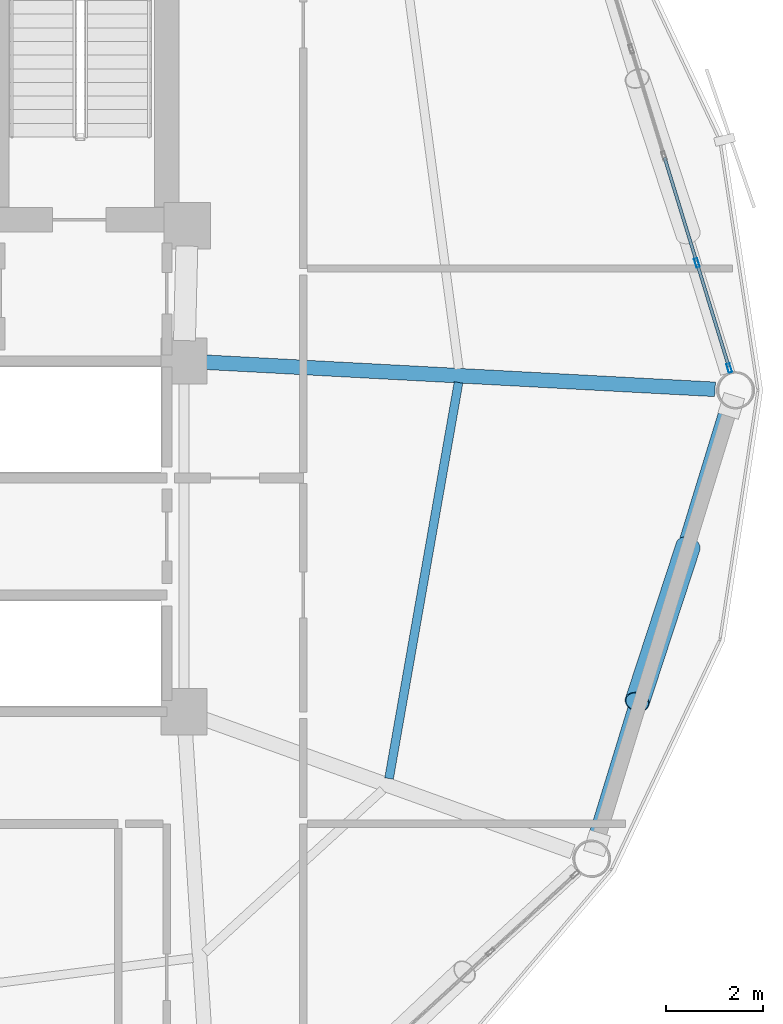
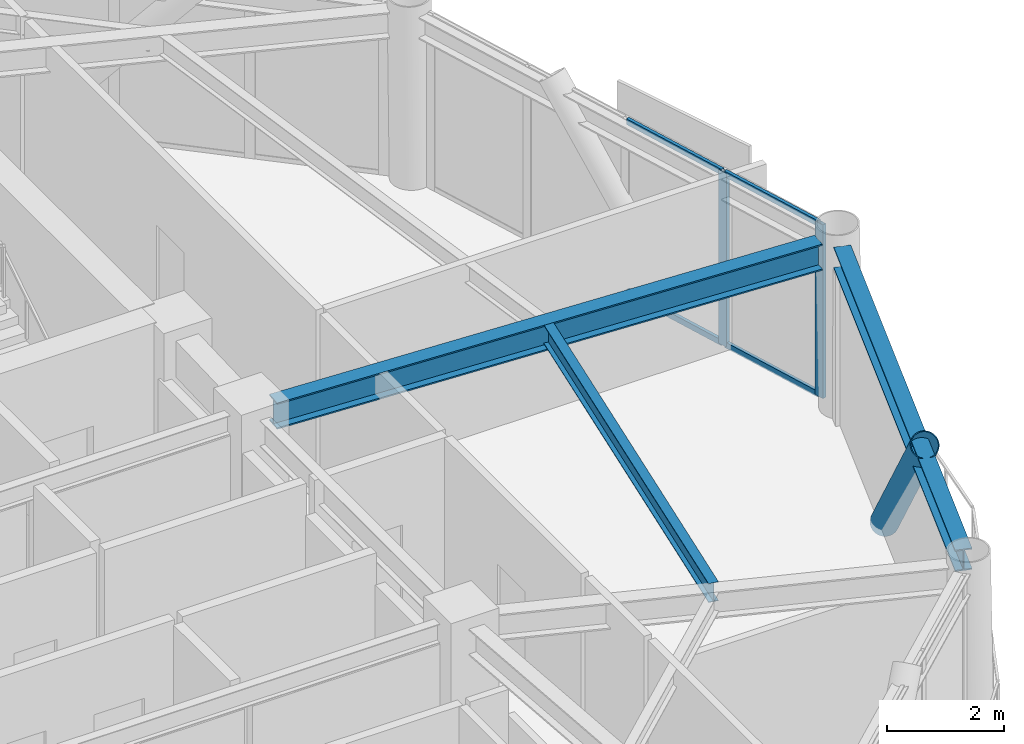
# One storey, part 13 of 25: 7 members, 3 beams, 1 element without a shape of its own.
"""IFC4 building model written with IfcOpenShell, lengths in metres."""

from ifc_helpers import new_model, si_unit, direction, frame, origin, origin_2d, place, context, subcontext, project, spatial, hollow_rectangle, hollow_circle, i_section, extrude, material, layer, layer_set, material_profile, profile_set, type_object, element, aggregate, save


model = new_model("IFC4")

# Units and contexts
model_context = context("Model", 3, precision=1e-05, world=origin(), true_north=direction((0.0, 1.0)))
body_context = subcontext(model_context, "Body", "Model", "MODEL_VIEW")
ifc_project = project(units=[si_unit("LENGTHUNIT", "METRE"), si_unit("AREAUNIT", "SQUARE_METRE"), si_unit("VOLUMEUNIT", "CUBIC_METRE"), si_unit("PLANEANGLEUNIT", "RADIAN"), si_unit("MASSUNIT", "GRAM", prefix="KILO")], contexts=[model_context])

# Site, building, storey
site_placement = place(None, origin())
site = spatial("IfcSite", under=ifc_project, at=site_placement, CompositionType="ELEMENT")
building_placement = place(site_placement, origin())
building = spatial("IfcBuilding", under=site, at=building_placement, Name="Varnakorn Sky Granary", CompositionType="ELEMENT")
storey_placement = place(building_placement, frame((0.0, 0.0, 126.60009765625)))
storey = spatial("IfcBuildingStorey", under=building, at=storey_placement, Name="L31", CompositionType="ELEMENT", Elevation=126.60009765625)

# Beams
ifc_material_1 = material(Name="Steel S355JR", Category="steel")
ifc_material_profile_1 = material_profile(ifc_material_1, i_section(OverallWidth=0.300048828125, OverallDepth=0.550048828125, WebThickness=0.014892578125, FlangeThickness=0.029052734375, at=origin_2d()), Name="HE 550 B")
ifc_profile_set_1 = profile_set([ifc_material_profile_1], Name="Steel S355JR")
beam_type_1 = type_object("IfcBeamType", Name="BM-RAD-Z3", PredefinedType="BEAM", material=ifc_profile_set_1)
beam_1_placement = place(storey_placement, frame((8.769287109375, 0.57763671875, 3.364990234375), z_axis=(0.99858558338, -0.053167966545, 0.0), x_axis=(0.053167966545, 0.99858558338, 0.0)))
element("IfcBeam", 1, at=beam_1_placement, inside=storey, type_object=beam_type_1, Name="Radial Floor Girder RG01 L31", PredefinedType="BEAM", context=body_context, shape_type="SweptSolid", body=[
    extrude(i_section(OverallWidth=0.300048828125, OverallDepth=0.550048828125, WebThickness=0.014892578125, FlangeThickness=0.029052734375, at=origin_2d()), origin(), (0.0, 0.0, 1.0), 10.4970703125),
])
ifc_material_profile_2 = material_profile(ifc_material_1, i_section(OverallWidth=0.179931640625, OverallDepth=0.39990234375, WebThickness=0.008544921875, FlangeThickness=0.013427734375, at=origin_2d()), Name="IPE 400")
ifc_profile_set_2 = profile_set([ifc_material_profile_2], Name="Steel S355JR")
beam_type_2 = type_object("IfcBeamType", Name="BM-SEC-Z3", PredefinedType="BEAM", material=ifc_profile_set_2)
beam_2_placement = place(storey_placement, frame((12.56005859375, -7.968994140625, 3.43994140625), z_axis=(0.172801491758, 0.984956671355, 0.0), x_axis=(-0.984956671355, 0.172801491758, 0.0)))
element("IfcBeam", 2, at=beam_2_placement, inside=storey, type_object=beam_type_2, Name="Secondary Floor Chord Beam MSB12 L31", PredefinedType="BEAM", context=body_context, shape_type="SweptSolid", body=[
    extrude(i_section(OverallWidth=0.179931640625, OverallDepth=0.39990234375, WebThickness=0.008544921875, FlangeThickness=0.013427734375, at=origin_2d()), origin(), (0.0, 0.0, 1.0), 8.25390625),
])
ifc_material_profile_3 = material_profile(ifc_material_1, i_section(OverallWidth=0.300048828125, OverallDepth=0.449951171875, WebThickness=0.013916015625, FlangeThickness=0.02587890625, at=origin_2d()), Name="HE 450 B")
ifc_profile_set_3 = profile_set([ifc_material_profile_3], Name="Steel S355JR")
beam_type_3 = type_object("IfcBeamType", Name="BM-SPD-Z3", PredefinedType="SPANDREL", material=ifc_profile_set_3)
beam_3_placement = place(storey_placement, frame((16.7783203125, -9.24560546875, 3.414794921875), z_axis=(0.293501370749, 0.955958652541, 0.0), x_axis=(-0.955958652541, 0.293501370749, 0.0)))
element("IfcBeam", 3, at=beam_3_placement, inside=storey, type_object=beam_type_3, Name="Perimeter Spandrel Ring Beam RB12 L31", PredefinedType="SPANDREL", context=body_context, shape_type="SweptSolid", body=[
    extrude(i_section(OverallWidth=0.300048828125, OverallDepth=0.449951171875, WebThickness=0.013916015625, FlangeThickness=0.02587890625, at=origin_2d()), origin(), (0.0, 0.0, 1.0), 9.3056640625),
])

# Curtain wall, members
ifc_material_2 = material(Name="Anodised Bronze Aluminium Alloy 6063-T6", Category="aluminium")
ifc_layer = layer(ifc_material_2, 0.179931640625, Name="Anodised Bronze Aluminium Alloy 6063-T6")
ifc_layer_set = layer_set([ifc_layer], Name="Anodised Bronze Aluminium Alloy 6063-T6")
curtain_wall_type = type_object("IfcCurtainWallType", Name="CW-FRM-2", PredefinedType="USERDEFINED", material=ifc_layer_set)
curtain_wall_placement = place(storey_placement, origin())
curtain_wall = element("IfcCurtainWall", 4, at=curtain_wall_placement, inside=storey, type_object=curtain_wall_type, Name="Unitised Curtain Wall CW4 CW-L31-B01", ObjectType="CURTAIN WALL", PredefinedType="USERDEFINED")
ifc_material_profile_4 = material_profile(ifc_material_2, hollow_rectangle(XDim=0.070068359375, YDim=0.18505859375, WallThickness=0.00390625, at=origin_2d()), Name="ALU MULL 70x185")
ifc_profile_set_4 = profile_set([ifc_material_profile_4], Name="Anodised Bronze Aluminium Alloy 6063-T6")
member_type_1 = type_object("IfcMemberType", Name="CW-FRM-2-MULL", PredefinedType="MULLION", material=ifc_profile_set_4)
member_1_placement = place(storey_placement, frame((18.879638671875, 2.61572265625, 0.0), z_axis=(0.0, 0.0, 1.0), x_axis=(0.955916673226, 0.293638066074, 0.0)))
member_1 = element("IfcMember", 5, at=member_1_placement, type_object=member_type_1, Name="CW4 mullion 4", PredefinedType="MULLION", context=body_context, shape_type="SweptSolid", body=[
    extrude(hollow_rectangle(XDim=0.070068359375, YDim=0.18505859375, WallThickness=0.00390625, at=origin_2d()), origin(), (0.0, 0.0, 1.0), 3.639892578125),
])
member_2_placement = place(storey_placement, frame((19.543212890625, 0.455078125, 0.0), z_axis=(0.0, 0.0, 1.0), x_axis=(0.955916673226, 0.293638066074, 0.0)))
member_2 = element("IfcMember", 6, at=member_2_placement, type_object=member_type_1, Name="CW4 mullion 5", PredefinedType="MULLION", context=body_context, shape_type="SweptSolid", body=[
    extrude(hollow_rectangle(XDim=0.070068359375, YDim=0.18505859375, WallThickness=0.00390625, at=origin_2d()), origin(), (0.0, 0.0, 1.0), 3.639892578125),
])
ifc_material_profile_5 = material_profile(ifc_material_2, hollow_rectangle(XDim=0.06494140625, YDim=0.1201171875, WallThickness=0.00341796875, at=origin_2d()), Name="ALU TRAN 65x120")
ifc_profile_set_5 = profile_set([ifc_material_profile_5], Name="Anodised Bronze Aluminium Alloy 6063-T6")
member_type_2 = type_object("IfcMemberType", Name="CW-FRM-2-TRAN", PredefinedType="USERDEFINED", material=ifc_profile_set_5)
member_3_placement = place(storey_placement, frame((18.2158203125, 4.7763671875, 0.032470703125), z_axis=(0.293592396984, -0.955930700644, 0.0), x_axis=(0.955930700644, 0.293592396984, 0.0)))
member_3 = element("IfcMember", 7, at=member_3_placement, type_object=member_type_2, Name="CW4 transom 3.1", ObjectType="TRANSOM", PredefinedType="USERDEFINED", context=body_context, shape_type="SweptSolid", body=[
    extrude(hollow_rectangle(XDim=0.06494140625, YDim=0.1201171875, WallThickness=0.00341796875, at=origin_2d()), origin(), (0.0, 0.0, 1.0), 2.225341796875),
])
member_4_placement = place(storey_placement, frame((18.2158203125, 4.7763671875, 3.607421875), z_axis=(0.293592396984, -0.955930700644, 0.0), x_axis=(0.955930700644, 0.293592396984, 0.0)))
member_4 = element("IfcMember", 8, at=member_4_placement, type_object=member_type_2, Name="CW4 transom 3.2", ObjectType="TRANSOM", PredefinedType="USERDEFINED", context=body_context, shape_type="SweptSolid", body=[
    extrude(hollow_rectangle(XDim=0.06494140625, YDim=0.1201171875, WallThickness=0.00341796875, at=origin_2d()), origin(), (0.0, 0.0, 1.0), 2.225341796875),
])
member_5_placement = place(storey_placement, frame((18.889892578125, 2.582275390625, 0.032470703125), z_axis=(0.293600182714, -0.955928309399, 0.0), x_axis=(0.955928309399, 0.293600182714, 0.0)))
member_5 = element("IfcMember", 9, at=member_5_placement, type_object=member_type_2, Name="CW4 transom 4.1", ObjectType="TRANSOM", PredefinedType="USERDEFINED", context=body_context, shape_type="SweptSolid", body=[
    extrude(hollow_rectangle(XDim=0.06494140625, YDim=0.1201171875, WallThickness=0.00341796875, at=origin_2d()), origin(), (0.0, 0.0, 1.0), 2.190185546875),
])
member_6_placement = place(storey_placement, frame((18.889892578125, 2.582275390625, 3.607421875), z_axis=(0.293600182714, -0.955928309399, 0.0), x_axis=(0.955928309399, 0.293600182714, 0.0)))
member_6 = element("IfcMember", 10, at=member_6_placement, type_object=member_type_2, Name="CW4 transom 4.2", ObjectType="TRANSOM", PredefinedType="USERDEFINED", context=body_context, shape_type="SweptSolid", body=[
    extrude(hollow_rectangle(XDim=0.06494140625, YDim=0.1201171875, WallThickness=0.00341796875, at=origin_2d()), origin(), (0.0, 0.0, 1.0), 2.190185546875),
])
aggregate(curtain_wall, [member_1, member_2, member_3, member_4, member_5, member_6])

# Member
ifc_material_3 = material(Name="Steel S460M", Category="steel")
ifc_material_profile_6 = material_profile(ifc_material_3, hollow_circle(Radius=0.25390625, WallThickness=0.01806640625, at=origin_2d()), Name="CHS 508x18")
ifc_profile_set_6 = profile_set([ifc_material_profile_6], Name="Steel S460M")
member_type_3 = type_object("IfcMemberType", Name="MB-DIAG-T2", PredefinedType="BRACE", material=ifc_profile_set_6)
member_7_placement = place(storey_placement, frame((18.697998046875, -3.20654296875, -0.130126953125), z_axis=(-0.202508200992, -0.618167991256, 0.759512187603), x_axis=(0.950306802249, -0.31131492351, 0.0)))
element("IfcMember", 11, at=member_7_placement, inside=storey, type_object=member_type_3, Name="Perimeter CHS Diagrid Brace DG12 L31", PredefinedType="BRACE", context=body_context, shape_type="SweptSolid", body=[
    extrude(hollow_circle(Radius=0.25390625, WallThickness=0.01806640625, at=origin_2d()), origin(), (0.0, 0.0, 1.0), 5.1611328125),
])

save(model, "model.ifc")
